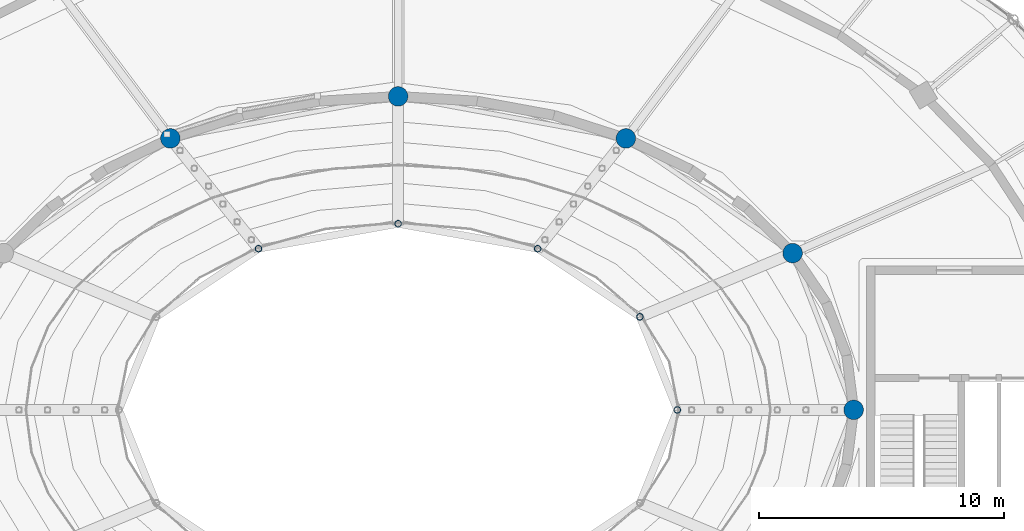
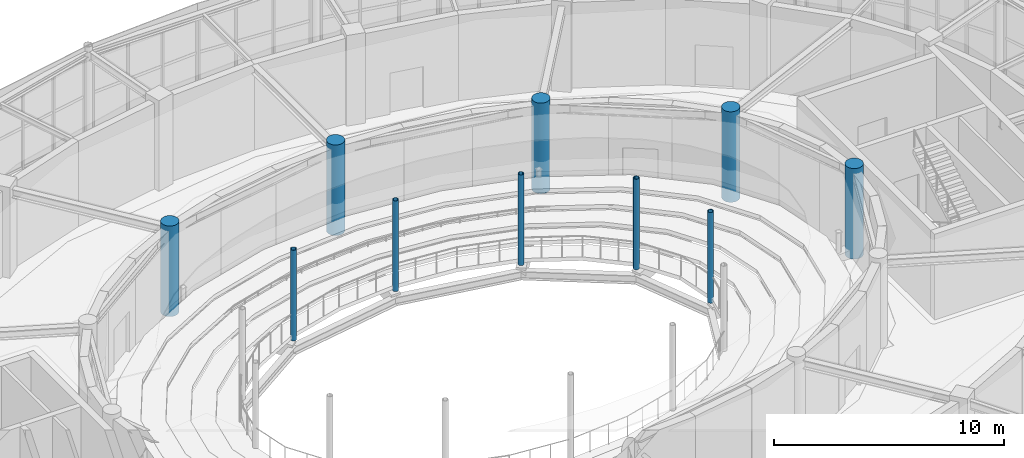
# One storey, part 6 of 100: 10 columns.
"""IFC4 building model written with IfcOpenShell, lengths in metres."""

from ifc_helpers import new_model, si_unit, direction, frame, origin, origin_2d, place, context, subcontext, project, spatial, circle, hollow_circle, extrude, material, material_profile, profile_set, type_object, element, save


model = new_model("IFC4")

# Units and contexts
model_context = context("Model", 3, precision=1e-05, world=origin(), true_north=direction((0.0, 1.0)))
body_context = subcontext(model_context, "Body", "Model", "MODEL_VIEW")
ifc_project = project(units=[si_unit("LENGTHUNIT", "METRE"), si_unit("AREAUNIT", "SQUARE_METRE"), si_unit("VOLUMEUNIT", "CUBIC_METRE"), si_unit("PLANEANGLEUNIT", "RADIAN"), si_unit("MASSUNIT", "GRAM", prefix="KILO")], contexts=[model_context])

# Site, building, storey
site_placement = place(None, origin())
site = spatial("IfcSite", under=ifc_project, at=site_placement, CompositionType="ELEMENT")
building_placement = place(site_placement, origin())
building = spatial("IfcBuilding", under=site, at=building_placement, Name="Tarnveldt Headland Concert Hall", CompositionType="ELEMENT")
storey_placement = place(building_placement, frame((0.0, 0.0, 4.800048828125)))
storey = spatial("IfcBuildingStorey", under=building, at=storey_placement, Name="L01", CompositionType="ELEMENT", Elevation=4.800048828125)

# Columns
ifc_material_1 = material(Name="Concrete C40/50", Category="concrete")
ifc_material_profile_1 = material_profile(ifc_material_1, circle(Radius=0.39990234375, at=origin_2d()), Name="RC D800", Category="concrete")
ifc_profile_set_1 = profile_set([ifc_material_profile_1], Name="Concrete C40/50")
column_type_1 = type_object("IfcColumnType", Name="DC-800", PredefinedType="COLUMN", material=ifc_profile_set_1)
for number, where, z_axis, x_axis, name in (
    (1, (102.10009765625, 54.5, 0.0), (0.0, 0.0, 1.0), (1.0, 0.0, 0.0), "Column V2IC01 L01"),
    (2, (99.608154296875, 60.89990234375, 0.0), (0.0, 0.0, 1.0), (0.929326043111, 0.369260213935, 0.0), "Column V2IC02 L01"),
    (3, (92.800048828125, 65.585205078125, 0.0), (0.0, 0.0, 1.0), (0.642787609687, 0.766044443119, 0.0), "Column V2IC03 L01"),
    (4, (83.5, 67.300048828125, 0.0), (0.0, 0.0, 1.0), (0.0, 1.0, 0.0), "Column V2IC04 L01"),
    (5, (74.199951171875, 65.585205078125, 0.0), (0.0, 0.0, 1.0), (-0.642787609687, 0.766044443119, 0.0), "Column V2IC05 L01"),
):
    element("IfcColumn", number, at=place(storey_placement, frame(where, z_axis=z_axis, x_axis=x_axis)), inside=storey, type_object=column_type_1, Name=name, PredefinedType="COLUMN", context=body_context, shape_type="SweptSolid", body=[
        extrude(circle(Radius=0.39990234375, at=origin_2d()), origin(), (0.0, 0.0, 1.0), 4.800048828125),
    ])
ifc_material_2 = material(Name="Steel S355", Category="steel")
ifc_material_profile_2 = material_profile(ifc_material_2, hollow_circle(Radius=0.136474609375, WallThickness=0.01611328125, at=origin_2d()), Name="CHS 273x16", Category="steel")
ifc_profile_set_2 = profile_set([ifc_material_profile_2], Name="Steel S355")
column_type_2 = type_object("IfcColumnType", Name="SC-CHS273", PredefinedType="COLUMN", material=ifc_profile_set_2)
for number, where, z_axis, x_axis, name in (
    (6, (94.89990234375, 54.5, 0.0), (0.0, 0.0, 1.0), (1.0, 0.0, 0.0), "Tier ring column 1 L01"),
    (7, (93.372802734375, 58.300048828125, 0.0), (0.0, 0.0, 1.0), (1.0, 0.0, 0.0), "Tier ring column 2 L01"),
    (8, (89.199951171875, 61.081787109375, 0.0), (0.0, 0.0, 1.0), (1.0, 0.0, 0.0), "Tier ring column 3 L01"),
    (9, (83.5, 62.10009765625, 0.0), (0.0, 0.0, 1.0), (1.0, 0.0, 0.0), "Tier ring column 4 L01"),
    (10, (77.800048828125, 61.081787109375, 0.0), (0.0, 0.0, 1.0), (1.0, 0.0, 0.0), "Tier ring column 5 L01"),
):
    element("IfcColumn", number, at=place(storey_placement, frame(where, z_axis=z_axis, x_axis=x_axis)), inside=storey, type_object=column_type_2, Name=name, PredefinedType="COLUMN", context=body_context, shape_type="SweptSolid", body=[
        extrude(hollow_circle(Radius=0.136474609375, WallThickness=0.01611328125, at=origin_2d()), origin(), (0.0, 0.0, 1.0), 4.800048828125),
    ])

save(model, "model.ifc")
